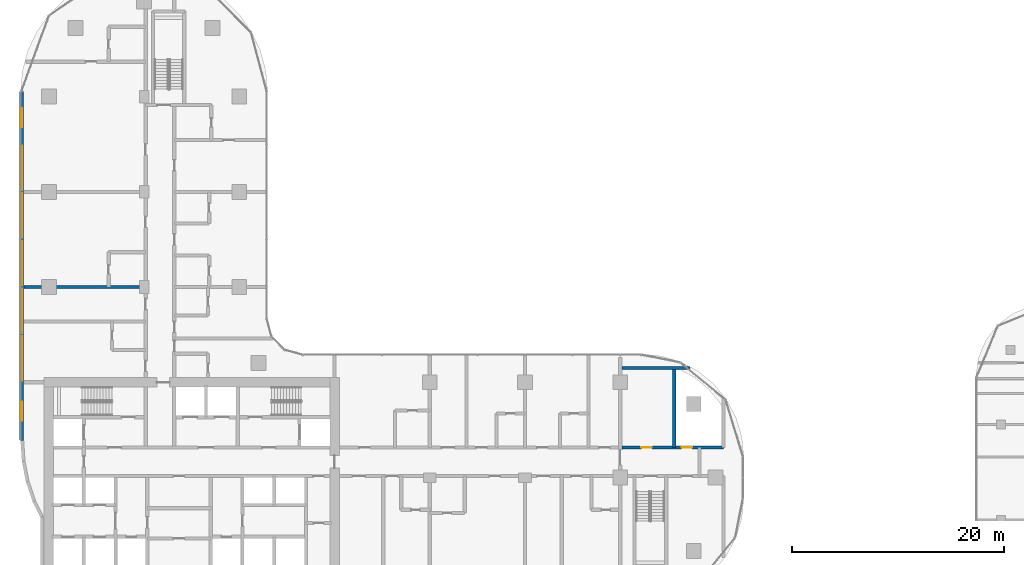
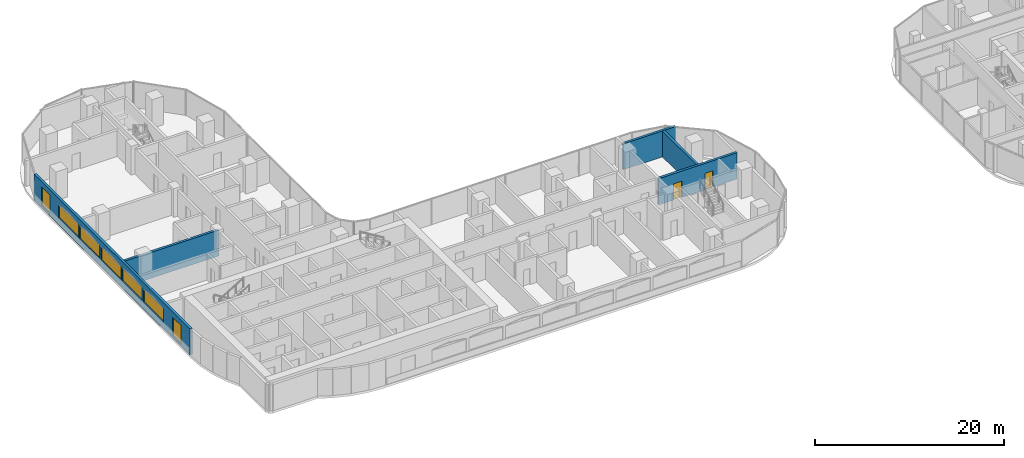
# One storey, part 20 of 34: 7 windows, 5 walls, 2 doors, 9 openings.
"""IFC4 building model written with IfcOpenShell, lengths in metres."""

from ifc_helpers import new_model, si_unit, direction, frame, frame_2d, origin, place, context, subcontext, project, spatial, rectangle, extrude, material, layer, layer_set, type_object, element, fill, save


model = new_model("IFC4")

# Units and contexts
model_context = context("Model", 3, precision=1e-05, world=origin(), true_north=direction((0.0, 1.0)))
body_context = subcontext(model_context, "Body", "Model", "MODEL_VIEW")
ifc_project = project(units=[si_unit("LENGTHUNIT", "METRE"), si_unit("AREAUNIT", "SQUARE_METRE"), si_unit("VOLUMEUNIT", "CUBIC_METRE"), si_unit("PLANEANGLEUNIT", "RADIAN"), si_unit("MASSUNIT", "GRAM", prefix="KILO")], contexts=[model_context])

# Site, building, storey
site_placement = place(None, origin())
site = spatial("IfcSite", under=ifc_project, at=site_placement, CompositionType="ELEMENT")
building_placement = place(site_placement, origin())
building = spatial("IfcBuilding", under=site, at=building_placement, Name="Ogive Portal Towers", CompositionType="ELEMENT")
storey_placement = place(building_placement, frame((0.0, 0.0, 66.800048828125)))
storey = spatial("IfcBuildingStorey", under=building, at=storey_placement, Name="L15", CompositionType="ELEMENT", Elevation=66.800048828125)

# Wall, openings, windows
ifc_material_1 = material(Name="Limestone cladding on lightweight block wall", Category="masonry")
ifc_layer_1 = layer(ifc_material_1, 0.300048828125)
ifc_layer_set_1 = layer_set([ifc_layer_1], Name="EXTERNAL WALL 300 STONE")
wall_type_1 = type_object("IfcWallType", Name="EXTERNAL WALL 300 STONE", PredefinedType="SOLIDWALL", material=ifc_layer_set_1)
wall_1_placement = place(storey_placement, frame((28.969970703125, 66.98583984375, 0.0), z_axis=(0.0, 0.0, 1.0), x_axis=(0.0, -1.0, 0.0)))
wall_1 = element("IfcWall", 1, at=wall_1_placement, inside=storey, type_object=wall_type_1, Name="A:L15:f27:r0:wall", PredefinedType="SOLIDWALL", context=body_context, shape_type="SweptSolid", body=[
    extrude(rectangle(XDim=32.97607421875, YDim=0.300048828125, at=frame_2d((16.488037109375, 0.0))), origin(), (0.0, 0.0, 1.0), 3.39990234375),
])
opening_1_placement = place(wall_1_placement, frame((1.593017578125, 0.0, 0.300048828125)))
opening_1 = element("IfcOpeningElement", 2, at=opening_1_placement, cuts=wall_1, Name="Opening WN10", PredefinedType="OPENING", context=body_context, shape_type="SweptSolid", body=[
    extrude(rectangle(XDim=1.800048828125, YDim=2.39990234375, at=frame_2d((0.89990234375, 1.199951171875))), frame((0.0, 0.16015625, 0.0), z_axis=(0.0, -1.0, 0.0), x_axis=(1.0, 0.0, 0.0)), (0.0, 0.0, 1.0), 0.320068359375),
])
opening_2_placement = place(wall_1_placement, frame((5.135986328125, 0.0, 0.89990234375)))
opening_2 = element("IfcOpeningElement", 3, at=opening_2_placement, cuts=wall_1, Name="Opening WN13", PredefinedType="OPENING", context=body_context, shape_type="SweptSolid", body=[
    extrude(rectangle(XDim=4.199951171875, YDim=1.699951171875, at=frame_2d((2.10009765625, 0.85009765625))), frame((0.0, 0.16015625, 0.0), z_axis=(0.0, -1.0, 0.0), x_axis=(1.0, 0.0, 0.0)), (0.0, 0.0, 1.0), 0.320068359375),
])
opening_3_placement = place(wall_1_placement, frame((9.635986328125, 0.0, 0.89990234375)))
opening_3 = element("IfcOpeningElement", 4, at=opening_3_placement, cuts=wall_1, Name="Opening WN13", PredefinedType="OPENING", context=body_context, shape_type="SweptSolid", body=[
    extrude(rectangle(XDim=4.199951171875, YDim=1.699951171875, at=frame_2d((2.10009765625, 0.85009765625))), frame((0.0, 0.16015625, 0.0), z_axis=(0.0, -1.0, 0.0), x_axis=(1.0, 0.0, 0.0)), (0.0, 0.0, 1.0), 0.320068359375),
])
opening_4_placement = place(wall_1_placement, frame((14.135986328125, 0.0, 0.89990234375)))
opening_4 = element("IfcOpeningElement", 5, at=opening_4_placement, cuts=wall_1, Name="Opening WN13", PredefinedType="OPENING", context=body_context, shape_type="SweptSolid", body=[
    extrude(rectangle(XDim=4.199951171875, YDim=1.699951171875, at=frame_2d((2.10009765625, 0.85009765625))), frame((0.0, 0.16015625, 0.0), z_axis=(0.0, -1.0, 0.0), x_axis=(1.0, 0.0, 0.0)), (0.0, 0.0, 1.0), 0.320068359375),
])
opening_5_placement = place(wall_1_placement, frame((18.635986328125, 0.0, 0.89990234375)))
opening_5 = element("IfcOpeningElement", 6, at=opening_5_placement, cuts=wall_1, Name="Opening WN13", PredefinedType="OPENING", context=body_context, shape_type="SweptSolid", body=[
    extrude(rectangle(XDim=4.199951171875, YDim=1.699951171875, at=frame_2d((2.10009765625, 0.85009765625))), frame((0.0, 0.16015625, 0.0), z_axis=(0.0, -1.0, 0.0), x_axis=(1.0, 0.0, 0.0)), (0.0, 0.0, 1.0), 0.320068359375),
])
opening_6_placement = place(wall_1_placement, frame((23.135986328125, 0.0, 0.89990234375)))
opening_6 = element("IfcOpeningElement", 7, at=opening_6_placement, cuts=wall_1, Name="Opening WN13", PredefinedType="OPENING", context=body_context, shape_type="SweptSolid", body=[
    extrude(rectangle(XDim=4.199951171875, YDim=1.699951171875, at=frame_2d((2.10009765625, 0.85009765625))), frame((0.0, 0.16015625, 0.0), z_axis=(0.0, -1.0, 0.0), x_axis=(1.0, 0.0, 0.0)), (0.0, 0.0, 1.0), 0.320068359375),
])
opening_7_placement = place(wall_1_placement, frame((29.3310546875, 0.0, 0.300048828125)))
opening_7 = element("IfcOpeningElement", 8, at=opening_7_placement, cuts=wall_1, Name="Opening WN10", PredefinedType="OPENING", context=body_context, shape_type="SweptSolid", body=[
    extrude(rectangle(XDim=1.800048828125, YDim=2.39990234375, at=frame_2d((0.89990234375, 1.199951171875))), frame((0.0, 0.16015625, 0.0), z_axis=(0.0, -1.0, 0.0), x_axis=(1.0, 0.0, 0.0)), (0.0, 0.0, 1.0), 0.320068359375),
])
ifc_material_2 = material(Name="Glass, clear low-iron insulated glazing", Category="glass")
window_type_1 = type_object("IfcWindowType", Name="WINDOW RIBBON LANCET 4200x1700", PartitioningType="TRIPLE_PANEL_VERTICAL", PredefinedType="WINDOW", material=ifc_material_2)
window_1_placement = place(opening_2_placement, origin())
window_1 = element("IfcWindow", 9, at=window_1_placement, inside=storey, type_object=window_type_1, Name="A:L15:f27:r0:w1", OverallHeight=1.699951171875, OverallWidth=4.199951171875, PartitioningType="SINGLE_PANEL", PredefinedType="WINDOW", context=body_context, shape_type="SweptSolid", body=[
    extrude(rectangle(XDim=4.199951171875, YDim=1.699951171875, at=frame_2d((2.10009765625, 0.85009765625))), frame((0.0, 0.030029296875, 0.0), z_axis=(0.0, -1.0, 0.0), x_axis=(1.0, 0.0, 0.0)), (0.0, 0.0, 1.0), 0.06005859375),
])
fill(opening_2, window_1)
window_2_placement = place(opening_3_placement, origin())
window_2 = element("IfcWindow", 10, at=window_2_placement, inside=storey, type_object=window_type_1, Name="A:L15:f27:r0:w2", OverallHeight=1.699951171875, OverallWidth=4.199951171875, PartitioningType="SINGLE_PANEL", PredefinedType="WINDOW", context=body_context, shape_type="SweptSolid", body=[
    extrude(rectangle(XDim=4.199951171875, YDim=1.699951171875, at=frame_2d((2.10009765625, 0.85009765625))), frame((0.0, 0.030029296875, 0.0), z_axis=(0.0, -1.0, 0.0), x_axis=(1.0, 0.0, 0.0)), (0.0, 0.0, 1.0), 0.06005859375),
])
fill(opening_3, window_2)
window_3_placement = place(opening_4_placement, origin())
window_3 = element("IfcWindow", 11, at=window_3_placement, inside=storey, type_object=window_type_1, Name="A:L15:f27:r0:w3", OverallHeight=1.699951171875, OverallWidth=4.199951171875, PartitioningType="SINGLE_PANEL", PredefinedType="WINDOW", context=body_context, shape_type="SweptSolid", body=[
    extrude(rectangle(XDim=4.199951171875, YDim=1.699951171875, at=frame_2d((2.10009765625, 0.85009765625))), frame((0.0, 0.030029296875, 0.0), z_axis=(0.0, -1.0, 0.0), x_axis=(1.0, 0.0, 0.0)), (0.0, 0.0, 1.0), 0.06005859375),
])
fill(opening_4, window_3)
window_4_placement = place(opening_5_placement, origin())
window_4 = element("IfcWindow", 12, at=window_4_placement, inside=storey, type_object=window_type_1, Name="A:L15:f27:r0:w4", OverallHeight=1.699951171875, OverallWidth=4.199951171875, PartitioningType="SINGLE_PANEL", PredefinedType="WINDOW", context=body_context, shape_type="SweptSolid", body=[
    extrude(rectangle(XDim=4.199951171875, YDim=1.699951171875, at=frame_2d((2.10009765625, 0.85009765625))), frame((0.0, 0.030029296875, 0.0), z_axis=(0.0, -1.0, 0.0), x_axis=(1.0, 0.0, 0.0)), (0.0, 0.0, 1.0), 0.06005859375),
])
fill(opening_5, window_4)
window_5_placement = place(opening_6_placement, origin())
window_5 = element("IfcWindow", 13, at=window_5_placement, inside=storey, type_object=window_type_1, Name="A:L15:f27:r0:w5", OverallHeight=1.699951171875, OverallWidth=4.199951171875, PartitioningType="SINGLE_PANEL", PredefinedType="WINDOW", context=body_context, shape_type="SweptSolid", body=[
    extrude(rectangle(XDim=4.199951171875, YDim=1.699951171875, at=frame_2d((2.10009765625, 0.85009765625))), frame((0.0, 0.030029296875, 0.0), z_axis=(0.0, -1.0, 0.0), x_axis=(1.0, 0.0, 0.0)), (0.0, 0.0, 1.0), 0.06005859375),
])
fill(opening_6, window_5)
window_type_2 = type_object("IfcWindowType", Name="WINDOW SUITE CORNER 1800x2400", PartitioningType="DOUBLE_PANEL_VERTICAL", PredefinedType="WINDOW", material=ifc_material_2)
window_6_placement = place(opening_1_placement, origin())
window_6 = element("IfcWindow", 14, at=window_6_placement, inside=storey, type_object=window_type_2, Name="A:L15:f27:r0:w0", OverallHeight=2.39990234375, OverallWidth=1.800048828125, PartitioningType="SINGLE_PANEL", PredefinedType="WINDOW", context=body_context, shape_type="SweptSolid", body=[
    extrude(rectangle(XDim=1.800048828125, YDim=2.39990234375, at=frame_2d((0.89990234375, 1.199951171875))), frame((0.0, 0.030029296875, 0.0), z_axis=(0.0, -1.0, 0.0), x_axis=(1.0, 0.0, 0.0)), (0.0, 0.0, 1.0), 0.06005859375),
])
fill(opening_1, window_6)
window_7_placement = place(opening_7_placement, origin())
window_7 = element("IfcWindow", 15, at=window_7_placement, inside=storey, type_object=window_type_2, Name="A:L15:f27:r0:w6", OverallHeight=2.39990234375, OverallWidth=1.800048828125, PartitioningType="SINGLE_PANEL", PredefinedType="WINDOW", context=body_context, shape_type="SweptSolid", body=[
    extrude(rectangle(XDim=1.800048828125, YDim=2.39990234375, at=frame_2d((0.89990234375, 1.199951171875))), frame((0.0, 0.030029296875, 0.0), z_axis=(0.0, -1.0, 0.0), x_axis=(1.0, 0.0, 0.0)), (0.0, 0.0, 1.0), 0.06005859375),
])
fill(opening_7, window_7)

# Wall, openings, doors
ifc_material_3 = material(Name="Gypsum board partition on steel studs", Category="steel")
ifc_layer_2 = layer(ifc_material_3, 0.300048828125)
ifc_layer_set_2 = layer_set([ifc_layer_2], Name="WT-PART-300-EI 120")
wall_type_2 = type_object("IfcWallType", Name="WT-PART-300-EI 120", PredefinedType="PARTITIONING", material=ifc_layer_set_2)
wall_2_placement = place(storey_placement, frame((85.669921875, 33.35009765625, 0.0), z_axis=(0.0, 0.0, 1.0), x_axis=(1.0, 0.0, 0.0)))
wall_2 = element("IfcWall", 16, at=wall_2_placement, inside=storey, type_object=wall_type_2, Name="Wall L15:w008", PredefinedType="PARTITIONING", context=body_context, shape_type="SweptSolid", body=[
    extrude(rectangle(XDim=9.580078125, YDim=0.300048828125, at=frame_2d((4.7900390625, 0.0))), origin(), (0.0, 0.0, 1.0), 3.39990234375),
])
opening_8_placement = place(wall_2_placement, frame((1.830078125, 0.0, 0.0)))
opening_8 = element("IfcOpeningElement", 17, at=opening_8_placement, cuts=wall_2, Name="Opening D04-061", PredefinedType="OPENING", context=body_context, shape_type="SweptSolid", body=[
    extrude(rectangle(XDim=1.0, YDim=2.10009765625, at=frame_2d((0.5, 1.050048828125))), frame((0.0, 0.16015625, 0.0), z_axis=(0.0, -1.0, 0.0), x_axis=(1.0, 0.0, 0.0)), (0.0, 0.0, 1.0), 0.320068359375),
])
opening_9_placement = place(wall_2_placement, frame((5.6298828125, 0.0, 0.0)))
opening_9 = element("IfcOpeningElement", 18, at=opening_9_placement, cuts=wall_2, Name="Opening D04-062", PredefinedType="OPENING", context=body_context, shape_type="SweptSolid", body=[
    extrude(rectangle(XDim=1.0, YDim=2.10009765625, at=frame_2d((0.5, 1.050048828125))), frame((0.0, 0.16015625, 0.0), z_axis=(0.0, -1.0, 0.0), x_axis=(1.0, 0.0, 0.0)), (0.0, 0.0, 1.0), 0.320068359375),
])
ifc_material_4 = material(Name="Steel fire door", Category="steel")
door_type = type_object("IfcDoorType", Name="DT-SERVICE-1000x2100-FD90S", OperationType="SINGLE_SWING_LEFT", PredefinedType="DOOR", material=ifc_material_4)
door_1_placement = place(opening_8_placement, origin())
door_1 = element("IfcDoor", 19, at=door_1_placement, inside=storey, type_object=door_type, Name="Door D04-061", OperationType="SINGLE_SWING_LEFT", OverallHeight=2.10009765625, OverallWidth=1.0, PredefinedType="DOOR", context=body_context, shape_type="SweptSolid", body=[
    extrude(rectangle(XDim=1.0, YDim=2.10009765625, at=frame_2d((0.5, 1.050048828125))), frame((0.0, 0.02490234375, 0.0), z_axis=(0.0, -1.0, 0.0), x_axis=(1.0, 0.0, 0.0)), (0.0, 0.0, 1.0), 0.050048828125),
])
fill(opening_8, door_1)
door_2_placement = place(opening_9_placement, origin())
door_2 = element("IfcDoor", 20, at=door_2_placement, inside=storey, type_object=door_type, Name="Riser access door D04-062", OperationType="SINGLE_SWING_RIGHT", OverallHeight=2.10009765625, OverallWidth=1.0, PredefinedType="DOOR", context=body_context, shape_type="SweptSolid", body=[
    extrude(rectangle(XDim=1.0, YDim=2.10009765625, at=frame_2d((0.5, 1.050048828125))), frame((0.0, 0.02490234375, 0.0), z_axis=(0.0, -1.0, 0.0), x_axis=(1.0, 0.0, 0.0)), (0.0, 0.0, 1.0), 0.050048828125),
])
fill(opening_9, door_2)

# Walls
ifc_layer_3 = layer(ifc_material_3, 0.300048828125)
ifc_layer_set_3 = layer_set([ifc_layer_3], Name="WT-PART-300-EI 60")
wall_type_3 = type_object("IfcWallType", Name="WT-PART-300-EI 60", PredefinedType="PARTITIONING", material=ifc_layer_set_3)
wall_3_placement = place(storey_placement, frame((85.669921875, 40.85009765625, 0.0), z_axis=(0.0, 0.0, 1.0), x_axis=(1.0, 0.0, 0.0)))
element("IfcWall", 21, at=wall_3_placement, inside=storey, type_object=wall_type_3, Name="Wall L15:w013", PredefinedType="PARTITIONING", context=body_context, shape_type="SweptSolid", body=[
    extrude(rectangle(XDim=6.422119140625, YDim=0.300048828125, at=frame_2d((3.2109375, 0.0))), origin(), (0.0, 0.0, 1.0), 3.349853515625),
])
wall_4_placement = place(storey_placement, frame((29.169921875, 48.5, 0.0), z_axis=(0.0, 0.0, 1.0), x_axis=(1.0, 0.0, 0.0)))
element("IfcWall", 22, at=wall_4_placement, inside=storey, type_object=wall_type_3, Name="Wall L15:w019", PredefinedType="PARTITIONING", context=body_context, shape_type="SweptSolid", body=[
    extrude(rectangle(XDim=11.47998046875, YDim=0.300048828125, at=frame_2d((5.739990234375, 0.0))), origin(), (0.0, 0.0, 1.0), 3.349853515625),
])
wall_5_placement = place(storey_placement, frame((90.60009765625, 33.35009765625, 0.0), z_axis=(0.0, 0.0, 1.0), x_axis=(0.0, 1.0, 0.0)))
element("IfcWall", 23, at=wall_5_placement, inside=storey, type_object=wall_type_3, Name="Wall L15:w064", PredefinedType="PARTITIONING", context=body_context, shape_type="SweptSolid", body=[
    extrude(rectangle(XDim=7.5, YDim=0.300048828125, at=frame_2d((3.75, 0.0))), origin(), (0.0, 0.0, 1.0), 3.349853515625),
])

save(model, "model.ifc")
